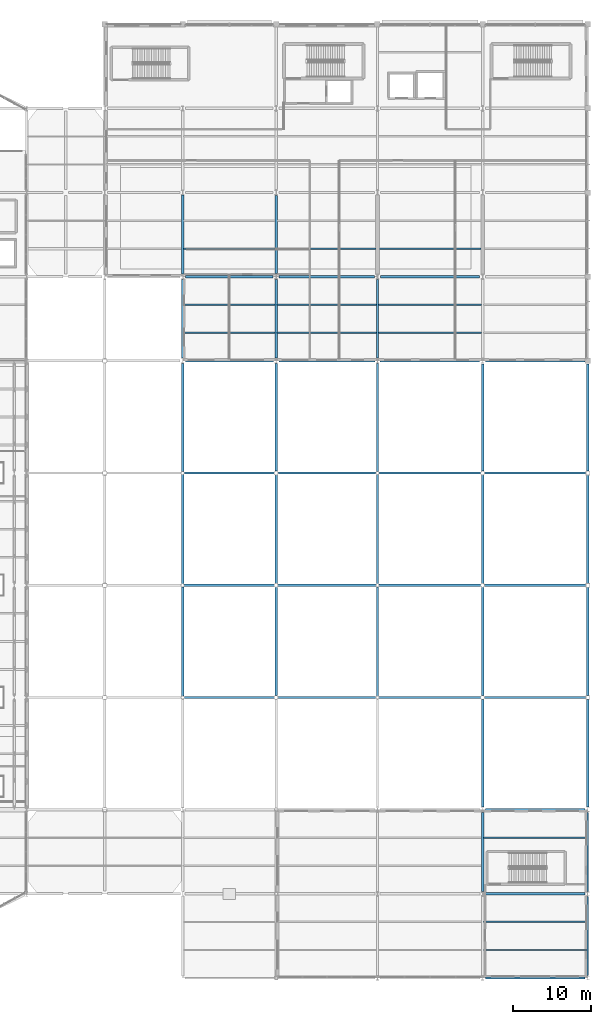
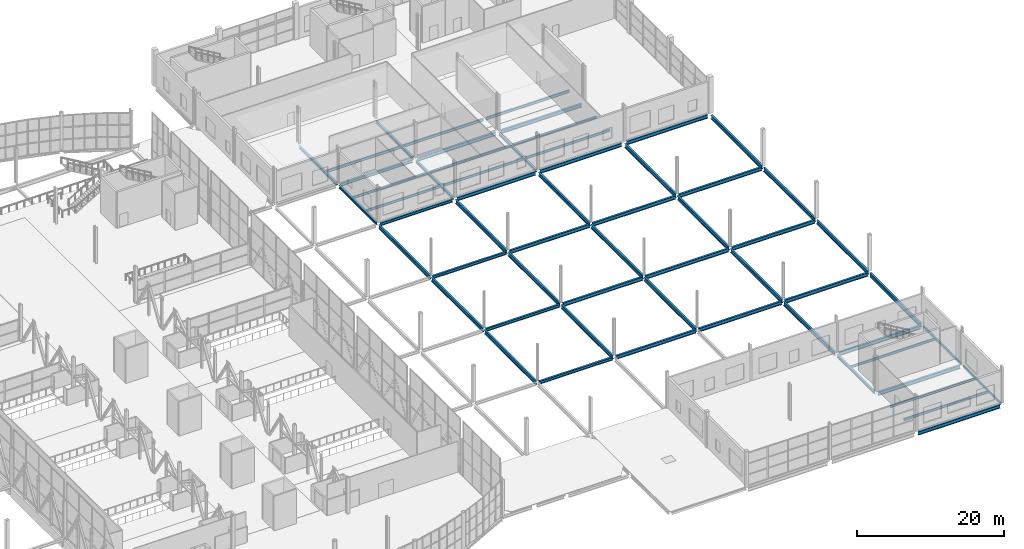
# One storey, part 135 of 191: 59 beams.
"""IFC4 building model written with IfcOpenShell, lengths in metres."""

import ifcopenshell
import ifcopenshell.guid

model = None  # the IFC model being written
_history = None  # IfcOwnerHistory: only IFC2X3 demands one
_inside = {}  # id of a spatial element -> (the spatial element, [elements in it])
_under = {}  # id of a project, library or spatial element -> (it, [spatial elements below it])
_declared = {}  # id of a project -> (the project, [libraries it declares])
_typed = {}  # id of a type object -> (the type object, [elements of that type])
_made_of = {}  # id of a material, layer set ... -> (it, [elements and type objects made of it])


def new_model(schema):
    """Start an empty IFC model of exactly this schema.

    Asked for "IFC4X3", IfcOpenShell would pick the latest addendum, in which some entities
    have other attributes; the version numbers below select the first issue.
    IFC2X3 requires an IfcOwnerHistory on every rooted entity: one is made here for all.
    """
    global model, _history
    if schema == "IFC4X3":
        model = ifcopenshell.file(schema_version=(4, 3, 0, 0))
    else:
        model = ifcopenshell.file(schema=schema)
    _inside.clear()
    _under.clear()
    _declared.clear()
    _typed.clear()
    _made_of.clear()
    _history = None
    if model.schema == "IFC2X3":
        org = make("IfcOrganization", Name="unknown")
        user = make(
            "IfcPersonAndOrganization",
            ThePerson=make("IfcPerson", FamilyName="unknown"),
            TheOrganization=org,
        )
        app = make(
            "IfcApplication",
            ApplicationDeveloper=org,
            Version="unknown",
            ApplicationFullName="unknown",
            ApplicationIdentifier="unknown",
        )
        _history = make(
            "IfcOwnerHistory",
            OwningUser=user,
            OwningApplication=app,
            ChangeAction="ADDED",
            CreationDate=0,
        )
    return model


def make(cls, **values):
    """One entity of the class cls with the attributes given. An attribute that is None is left unset."""
    return model.create_entity(
        cls, **{name: value for name, value in values.items() if value is not None}
    )


def rooted(cls, **values):
    """An entity with a GlobalId (a new one), such as an element, a storey or a relation."""
    return make(cls, GlobalId=ifcopenshell.guid.new(), OwnerHistory=_history, **values)


def si_unit(unit_type, name, prefix=None):
    """IfcSIUnit, for example si_unit("LENGTHUNIT", "METRE", prefix="MILLI")."""
    return make("IfcSIUnit", UnitType=unit_type, Prefix=prefix, Name=name)


def assignment(units):
    """IfcUnitAssignment: the units of a project."""
    return None if units is None else make("IfcUnitAssignment", Units=units)


def point(xyz):
    """IfcCartesianPoint."""
    return None if xyz is None else make("IfcCartesianPoint", Coordinates=xyz)


def direction(xyz):
    """IfcDirection."""
    return None if xyz is None else make("IfcDirection", DirectionRatios=xyz)


def frame(location, z_axis=None, x_axis=None):
    """IfcAxis2Placement3D, a coordinate frame: its origin and axes. An axis left out is left unset."""
    return make(
        "IfcAxis2Placement3D",
        Location=point(location),
        Axis=direction(z_axis),
        RefDirection=direction(x_axis),
    )


def frame_2d(location, x_axis=None):
    """IfcAxis2Placement2D, a coordinate frame in the plane: its origin and x axis."""
    return make(
        "IfcAxis2Placement2D", Location=point(location), RefDirection=direction(x_axis)
    )


def origin():
    """The frame at (0, 0, 0) with its axes left unset."""
    return frame((0.0, 0.0, 0.0))


def origin_2d():
    """The frame at (0, 0) in the plane with its x axis left unset."""
    return frame_2d((0.0, 0.0))


def place(relative_to, where):
    """IfcLocalPlacement: puts the frame where relative to a parent placement (None: the world)."""
    return make(
        "IfcLocalPlacement", PlacementRelTo=relative_to, RelativePlacement=where
    )


def context(
    kind, dimensions, precision=None, world=None, true_north=None, identifier=None
):
    """IfcGeometricRepresentationContext, for example the 3D "Model" context."""
    return make(
        "IfcGeometricRepresentationContext",
        ContextIdentifier=identifier,
        ContextType=kind,
        CoordinateSpaceDimension=dimensions,
        Precision=precision,
        WorldCoordinateSystem=world,
        TrueNorth=true_north,
    )


def subcontext(parent, identifier, kind, view, scale=None):
    """IfcGeometricRepresentationSubContext, for example "Body" below "Model"."""
    return make(
        "IfcGeometricRepresentationSubContext",
        ContextIdentifier=identifier,
        ContextType=kind,
        ParentContext=parent,
        TargetScale=scale,
        TargetView=view,
    )


def project(units=None, contexts=None):
    """IfcProject with its units and contexts."""
    return rooted(
        "IfcProject",
        Name="project",
        RepresentationContexts=contexts,
        UnitsInContext=assignment(units),
    )


def spatial(cls, under=None, at=None, **own):
    """A site, building, storey or space (cls), placed at a placement, below another one or the project."""
    s = rooted(cls, ObjectPlacement=at, **own)
    if under is not None:
        _under.setdefault(under.id(), (under, []))[1].append(s)
    return s


def profile(cls, at=None, kind="AREA", **sizes):
    """A parametric profile (cls). Its sizes go by their IFC names, for example OverallWidth=200.0."""
    return make(cls, ProfileType=kind, Position=at, **sizes)


def hollow_rectangle(**sizes):
    """IfcRectangleHollowProfileDef."""
    return profile("IfcRectangleHollowProfileDef", **sizes)


def i_section(**sizes):
    """IfcIShapeProfileDef."""
    return profile("IfcIShapeProfileDef", **sizes)


def extrude(swept, where, along, depth):
    """IfcExtrudedAreaSolid: the profile swept, set in the frame where, extruded along a direction by depth."""
    return make(
        "IfcExtrudedAreaSolid",
        SweptArea=swept,
        Position=where,
        ExtrudedDirection=direction(along),
        Depth=depth,
    )


def shape(context_of_items, identifier, shape_type, items):
    """IfcShapeRepresentation: the items that make up one representation, for example the "Body"."""
    return make(
        "IfcShapeRepresentation",
        ContextOfItems=context_of_items,
        RepresentationIdentifier=identifier,
        RepresentationType=shape_type,
        Items=items,
    )


def material(Name=None, Category=None):
    """IfcMaterial."""
    return make("IfcMaterial", Name=Name, Category=Category)


def material_profile(
    of_material, cross_section, Name=None, Category=None, Priority=None
):
    """IfcMaterialProfile: a cross section and its material."""
    return make(
        "IfcMaterialProfile",
        Name=Name,
        Material=of_material,
        Profile=cross_section,
        Priority=Priority,
        Category=Category,
    )


def profile_set(profiles, Name=None, composite=None):
    """IfcMaterialProfileSet."""
    return make(
        "IfcMaterialProfileSet",
        Name=Name,
        MaterialProfiles=profiles,
        CompositeProfile=composite,
    )


def made_of(thing, what):
    """Note that an element or type object is made of a material, layer set ...; save() writes the relation."""
    if what is not None:
        _made_of.setdefault(what.id(), (what, []))[1].append(thing)
    return thing


def type_object(cls, material=None, **own):
    """A type object (cls), such as IfcWallType, which elements share."""
    return made_of(rooted(cls, **own), material)


def element(
    cls,
    number,
    at=None,
    inside=None,
    cuts=None,
    type_object=None,
    material=None,
    context=None,
    identifier="Body",
    shape_type=None,
    held_by="IfcProductDefinitionShape",
    body=None,
    shapes=None,
    **own,
):
    """One element of the class cls, such as IfcWall. Its Tag is "e" and its number.

    at: its placement. inside: the storey or other place that contains it. cuts: it is an
    opening in that element (IfcRelVoidsElement). A single representation is given by context,
    identifier, shape_type and body (its items); several are given by shapes. held_by: the class
    of the entity that holds the representations. save() writes the other relations.
    """
    e = rooted(cls, Tag="e%d" % number, ObjectPlacement=at, **own)
    if body is not None:
        shapes = [shape(context, identifier, shape_type, body)]
    if shapes is not None:
        e.Representation = make(held_by, Representations=shapes)
    if inside is not None:
        _inside.setdefault(inside.id(), (inside, []))[1].append(e)
    if cuts is not None:
        rooted(
            "IfcRelVoidsElement", RelatingBuildingElement=cuts, RelatedOpeningElement=e
        )
    if type_object is not None:
        _typed.setdefault(type_object.id(), (type_object, []))[1].append(e)
    return made_of(e, material)


def aggregate(whole, parts):
    """IfcRelAggregates: a whole, such as a stair, and the parts it consists of."""
    return rooted("IfcRelAggregates", RelatingObject=whole, RelatedObjects=parts)


def save(model, path):
    """Write the relations noted so far, then the file.

    IfcRelAggregates (storeys below a building ...), IfcRelContainedInSpatialStructure (elements
    in a storey), IfcRelDefinesByType, IfcRelAssociatesMaterial and IfcRelDeclares: one each for
    every whole, place, type object, material and project.
    """
    for whole, parts in _under.values():
        aggregate(whole, parts)
    for where, things in _inside.values():
        rooted(
            "IfcRelContainedInSpatialStructure",
            RelatedElements=things,
            RelatingStructure=where,
        )
    for kind, things in _typed.values():
        rooted("IfcRelDefinesByType", RelatedObjects=things, RelatingType=kind)
    for what, things in _made_of.values():
        rooted("IfcRelAssociatesMaterial", RelatedObjects=things, RelatingMaterial=what)
    for by, libraries in _declared.values():
        rooted("IfcRelDeclares", RelatingContext=by, RelatedDefinitions=libraries)
    model.write(path)


model = new_model("IFC4")

# Units and contexts
model_context = context("Model", 3, precision=1e-05, world=origin(), true_north=direction((0.0, 1.0)))
body_context = subcontext(model_context, "Body", "Model", "MODEL_VIEW")
ifc_project = project(units=[si_unit("LENGTHUNIT", "METRE"), si_unit("AREAUNIT", "SQUARE_METRE"), si_unit("VOLUMEUNIT", "CUBIC_METRE"), si_unit("PLANEANGLEUNIT", "RADIAN"), si_unit("MASSUNIT", "GRAM", prefix="KILO")], contexts=[model_context])

# Site, building, storey
site_placement = place(None, origin())
site = spatial("IfcSite", under=ifc_project, at=site_placement, CompositionType="ELEMENT")
building_placement = place(site_placement, origin())
building = spatial("IfcBuilding", under=site, at=building_placement, Name="Tamarisk Ironworks Central Station", CompositionType="ELEMENT")
storey_placement = place(building_placement, frame((0.0, 0.0, 6.60009765625)))
storey = spatial("IfcBuildingStorey", under=building, at=storey_placement, Name="L01", CompositionType="ELEMENT", Elevation=6.60009765625)

# Beams
ifc_material = material(Name="Structural steel S355J2", Category="steel")
ifc_material_profile_1 = material_profile(ifc_material, i_section(OverallWidth=0.18994140625, OverallDepth=0.449951171875, WebThickness=0.009521484375, FlangeThickness=0.0146484375, at=origin_2d()), Name="IPE 450")
ifc_profile_set_1 = profile_set([ifc_material_profile_1], Name="Structural steel S355J2")
beam_type_1 = type_object("IfcBeamType", Name="BM-B03", PredefinedType="BEAM", material=ifc_profile_set_1)
beam_1_placement = place(storey_placement, frame((128.135009765625, 93.60009765625, -0.47509765625), z_axis=(1.0, 0.0, 0.0), x_axis=(0.0, 1.0, 0.0)))
element("IfcBeam", 1, at=beam_1_placement, inside=storey, type_object=beam_type_1, Name="L01 secondary composite beam 0076", PredefinedType="BEAM", context=body_context, shape_type="SweptSolid", body=[
    extrude(i_section(OverallWidth=0.18994140625, OverallDepth=0.449951171875, WebThickness=0.009521484375, FlangeThickness=0.0146484375, at=origin_2d()), origin(), (0.0, 0.0, 1.0), 11.72998046875),
])
beam_2_placement = place(storey_placement, frame((140.135009765625, 93.60009765625, -0.47509765625), z_axis=(1.0, 0.0, 0.0), x_axis=(0.0, 1.0, 0.0)))
element("IfcBeam", 2, at=beam_2_placement, inside=storey, type_object=beam_type_1, Name="L01 secondary composite beam 0080", PredefinedType="BEAM", context=body_context, shape_type="SweptSolid", body=[
    extrude(i_section(OverallWidth=0.18994140625, OverallDepth=0.449951171875, WebThickness=0.009521484375, FlangeThickness=0.0146484375, at=origin_2d()), origin(), (0.0, 0.0, 1.0), 12.6650390625),
])
beam_3_placement = place(storey_placement, frame((153.199951171875, 93.60009765625, -0.47509765625), z_axis=(1.0, 0.0, 0.0), x_axis=(0.0, 1.0, 0.0)))
element("IfcBeam", 3, at=beam_3_placement, inside=storey, type_object=beam_type_1, Name="L01 secondary composite beam 0084", PredefinedType="BEAM", context=body_context, shape_type="SweptSolid", body=[
    extrude(i_section(OverallWidth=0.18994140625, OverallDepth=0.449951171875, WebThickness=0.009521484375, FlangeThickness=0.0146484375, at=origin_2d()), origin(), (0.0, 0.0, 1.0), 13.10009765625),
])
ifc_material_profile_2 = material_profile(ifc_material, i_section(OverallWidth=0.179931640625, OverallDepth=0.39990234375, WebThickness=0.008544921875, FlangeThickness=0.013427734375, at=origin_2d()), Name="IPE 400")
ifc_profile_set_2 = profile_set([ifc_material_profile_2], Name="Structural steel S355J2")
beam_type_2 = type_object("IfcBeamType", Name="BM-B04", PredefinedType="BEAM", material=ifc_profile_set_2)
for number, where, z_axis, x_axis, name in (
    (4, (128.135009765625, 82.800048828125, -0.4501953125), (1.0, 0.0, 0.0), (0.0, 1.0, 0.0), "L01 secondary composite beam 0093"),
    (5, (128.135009765625, 86.39990234375, -0.4501953125), (1.0, 0.0, 0.0), (0.0, 1.0, 0.0), "L01 secondary composite beam 0094"),
):
    element("IfcBeam", number, at=place(storey_placement, frame(where, z_axis=z_axis, x_axis=x_axis)), inside=storey, type_object=beam_type_2, Name=name, PredefinedType="BEAM", context=body_context, shape_type="SweptSolid", body=[
        extrude(i_section(OverallWidth=0.179931640625, OverallDepth=0.39990234375, WebThickness=0.008544921875, FlangeThickness=0.013427734375, at=origin_2d()), origin(), (0.0, 0.0, 1.0), 11.72998046875),
    ])
for number, where, z_axis, x_axis, name in (
    (6, (140.135009765625, 82.800048828125, -0.4501953125), (1.0, 0.0, 0.0), (0.0, 1.0, 0.0), "L01 secondary composite beam 0095"),
    (7, (140.135009765625, 86.39990234375, -0.4501953125), (1.0, 0.0, 0.0), (0.0, 1.0, 0.0), "L01 secondary composite beam 0096"),
):
    element("IfcBeam", number, at=place(storey_placement, frame(where, z_axis=z_axis, x_axis=x_axis)), inside=storey, type_object=beam_type_2, Name=name, PredefinedType="BEAM", context=body_context, shape_type="SweptSolid", body=[
        extrude(i_section(OverallWidth=0.179931640625, OverallDepth=0.39990234375, WebThickness=0.008544921875, FlangeThickness=0.013427734375, at=origin_2d()), origin(), (0.0, 0.0, 1.0), 12.72998046875),
    ])
for number, where, z_axis, x_axis, name in (
    (8, (153.135009765625, 82.800048828125, -0.4501953125), (1.0, 0.0, 0.0), (0.0, 1.0, 0.0), "L01 secondary composite beam 0097"),
    (9, (153.135009765625, 86.39990234375, -0.4501953125), (1.0, 0.0, 0.0), (0.0, 1.0, 0.0), "L01 secondary composite beam 0098"),
):
    element("IfcBeam", number, at=place(storey_placement, frame(where, z_axis=z_axis, x_axis=x_axis)), inside=storey, type_object=beam_type_2, Name=name, PredefinedType="BEAM", context=body_context, shape_type="SweptSolid", body=[
        extrude(i_section(OverallWidth=0.179931640625, OverallDepth=0.39990234375, WebThickness=0.008544921875, FlangeThickness=0.013427734375, at=origin_2d()), origin(), (0.0, 0.0, 1.0), 13.22998046875),
    ])
for number, where, z_axis, x_axis, name in (
    (10, (166.635009765625, 3.60009765625, -0.4501953125), (1.0, 0.0, 0.0), (0.0, 1.0, 0.0), "L01 secondary composite beam 0113"),
    (11, (166.635009765625, 7.199951171875, -0.4501953125), (1.0, 0.0, 0.0), (0.0, 1.0, 0.0), "L01 secondary composite beam 0114"),
    (12, (166.635009765625, 18.0, -0.4501953125), (1.0, 0.0, 0.0), (0.0, 1.0, 0.0), "L01 secondary composite beam 0115"),
):
    element("IfcBeam", number, at=place(storey_placement, frame(where, z_axis=z_axis, x_axis=x_axis)), inside=storey, type_object=beam_type_2, Name=name, PredefinedType="BEAM", context=body_context, shape_type="SweptSolid", body=[
        extrude(i_section(OverallWidth=0.179931640625, OverallDepth=0.39990234375, WebThickness=0.008544921875, FlangeThickness=0.013427734375, at=origin_2d()), origin(), (0.0, 0.0, 1.0), 13.280029296875),
    ])
ifc_material_profile_3 = material_profile(ifc_material, i_section(OverallWidth=0.300048828125, OverallDepth=0.639892578125, WebThickness=0.013427734375, FlangeThickness=0.02587890625, at=origin_2d()), Name="HEA 650")
ifc_profile_set_3 = profile_set([ifc_material_profile_3], Name="Structural steel S355J2")
beam_type_3 = type_object("IfcBeamType", Name="BM-G02", PredefinedType="BEAM", material=ifc_profile_set_3)
for number, where, z_axis, x_axis, name in (
    (13, (128.0, 36.191162109375, -0.570068359375), (0.0, 1.0, 0.0), (-1.0, 0.0, 0.0), "L01 primary girder Y-0253"),
    (14, (128.0, 50.59130859375, -0.570068359375), (0.0, 1.0, 0.0), (-1.0, 0.0, 0.0), "L01 primary girder Y-0254"),
):
    element("IfcBeam", number, at=place(storey_placement, frame(where, z_axis=z_axis, x_axis=x_axis)), inside=storey, type_object=beam_type_3, Name=name, PredefinedType="BEAM", context=body_context, shape_type="SweptSolid", body=[
        extrude(i_section(OverallWidth=0.300048828125, OverallDepth=0.639892578125, WebThickness=0.013427734375, FlangeThickness=0.02587890625, at=origin_2d()), origin(), (0.0, 0.0, 1.0), 14.017578125),
    ])
beam_4_placement = place(storey_placement, frame((128.0, 64.9912109375, -0.570068359375), z_axis=(0.0, 1.0, 0.0), x_axis=(-1.0, 0.0, 0.0)))
element("IfcBeam", 15, at=beam_4_placement, inside=storey, type_object=beam_type_3, Name="L01 primary girder Y-0255", PredefinedType="BEAM", context=body_context, shape_type="SweptSolid", body=[
    extrude(i_section(OverallWidth=0.300048828125, OverallDepth=0.639892578125, WebThickness=0.013427734375, FlangeThickness=0.02587890625, at=origin_2d()), origin(), (0.0, 0.0, 1.0), 13.870849609375),
])
for number, where, z_axis, x_axis, name in (
    (16, (140.0, 36.241943359375, -0.570068359375), (0.0, 1.0, 0.0), (-1.0, 0.0, 0.0), "L01 primary girder Y-0262"),
    (17, (140.0, 50.64208984375, -0.570068359375), (0.0, 1.0, 0.0), (-1.0, 0.0, 0.0), "L01 primary girder Y-0263"),
):
    element("IfcBeam", number, at=place(storey_placement, frame(where, z_axis=z_axis, x_axis=x_axis)), inside=storey, type_object=beam_type_3, Name=name, PredefinedType="BEAM", context=body_context, shape_type="SweptSolid", body=[
        extrude(i_section(OverallWidth=0.300048828125, OverallDepth=0.639892578125, WebThickness=0.013427734375, FlangeThickness=0.02587890625, at=origin_2d()), origin(), (0.0, 0.0, 1.0), 13.916015625),
    ])
beam_5_placement = place(storey_placement, frame((140.0, 65.0419921875, -0.570068359375), z_axis=(0.0, 1.0, 0.0), x_axis=(-1.0, 0.0, 0.0)))
element("IfcBeam", 18, at=beam_5_placement, inside=storey, type_object=beam_type_3, Name="L01 primary girder Y-0264", PredefinedType="BEAM", context=body_context, shape_type="SweptSolid", body=[
    extrude(i_section(OverallWidth=0.300048828125, OverallDepth=0.639892578125, WebThickness=0.013427734375, FlangeThickness=0.02587890625, at=origin_2d()), origin(), (0.0, 0.0, 1.0), 13.820068359375),
])
for number, where, z_axis, x_axis, name in (
    (19, (153.0, 36.191162109375, -0.570068359375), (0.0, 1.0, 0.0), (-1.0, 0.0, 0.0), "L01 primary girder Y-0272"),
    (20, (153.0, 50.59130859375, -0.570068359375), (0.0, 1.0, 0.0), (-1.0, 0.0, 0.0), "L01 primary girder Y-0273"),
):
    element("IfcBeam", number, at=place(storey_placement, frame(where, z_axis=z_axis, x_axis=x_axis)), inside=storey, type_object=beam_type_3, Name=name, PredefinedType="BEAM", context=body_context, shape_type="SweptSolid", body=[
        extrude(i_section(OverallWidth=0.300048828125, OverallDepth=0.639892578125, WebThickness=0.013427734375, FlangeThickness=0.02587890625, at=origin_2d()), origin(), (0.0, 0.0, 1.0), 14.017578125),
    ])
beam_6_placement = place(storey_placement, frame((153.0, 64.9912109375, -0.570068359375), z_axis=(0.0, 1.0, 0.0), x_axis=(-1.0, 0.0, 0.0)))
element("IfcBeam", 21, at=beam_6_placement, inside=storey, type_object=beam_type_3, Name="L01 primary girder Y-0274", PredefinedType="BEAM", context=body_context, shape_type="SweptSolid", body=[
    extrude(i_section(OverallWidth=0.300048828125, OverallDepth=0.639892578125, WebThickness=0.013427734375, FlangeThickness=0.02587890625, at=origin_2d()), origin(), (0.0, 0.0, 1.0), 13.870849609375),
])
beam_7_placement = place(storey_placement, frame((166.5, 21.93798828125, -0.570068359375), z_axis=(0.0, 1.0, 0.0), x_axis=(-1.0, 0.0, 0.0)))
element("IfcBeam", 22, at=beam_7_placement, inside=storey, type_object=beam_type_3, Name="L01 primary girder Y-0280", PredefinedType="BEAM", context=body_context, shape_type="SweptSolid", body=[
    extrude(i_section(OverallWidth=0.300048828125, OverallDepth=0.639892578125, WebThickness=0.013427734375, FlangeThickness=0.02587890625, at=origin_2d()), origin(), (0.0, 0.0, 1.0), 13.820068359375),
])
for number, where, z_axis, x_axis, name in (
    (23, (166.5, 36.241943359375, -0.570068359375), (0.0, 1.0, 0.0), (-1.0, 0.0, 0.0), "L01 primary girder Y-0281"),
    (24, (166.5, 50.64208984375, -0.570068359375), (0.0, 1.0, 0.0), (-1.0, 0.0, 0.0), "L01 primary girder Y-0282"),
):
    element("IfcBeam", number, at=place(storey_placement, frame(where, z_axis=z_axis, x_axis=x_axis)), inside=storey, type_object=beam_type_3, Name=name, PredefinedType="BEAM", context=body_context, shape_type="SweptSolid", body=[
        extrude(i_section(OverallWidth=0.300048828125, OverallDepth=0.639892578125, WebThickness=0.013427734375, FlangeThickness=0.02587890625, at=origin_2d()), origin(), (0.0, 0.0, 1.0), 13.916015625),
    ])
beam_8_placement = place(storey_placement, frame((166.5, 65.0419921875, -0.570068359375), z_axis=(0.0, 1.0, 0.0), x_axis=(-1.0, 0.0, 0.0)))
element("IfcBeam", 25, at=beam_8_placement, inside=storey, type_object=beam_type_3, Name="L01 primary girder Y-0283", PredefinedType="BEAM", context=body_context, shape_type="SweptSolid", body=[
    extrude(i_section(OverallWidth=0.300048828125, OverallDepth=0.639892578125, WebThickness=0.013427734375, FlangeThickness=0.02587890625, at=origin_2d()), origin(), (0.0, 0.0, 1.0), 13.77001953125),
])
beam_9_placement = place(storey_placement, frame((180.0, 21.93798828125, -0.570068359375), z_axis=(0.0, 1.0, 0.0), x_axis=(-1.0, 0.0, 0.0)))
element("IfcBeam", 26, at=beam_9_placement, inside=storey, type_object=beam_type_3, Name="L01 primary girder Y-0289", PredefinedType="BEAM", context=body_context, shape_type="SweptSolid", body=[
    extrude(i_section(OverallWidth=0.300048828125, OverallDepth=0.639892578125, WebThickness=0.013427734375, FlangeThickness=0.02587890625, at=origin_2d()), origin(), (0.0, 0.0, 1.0), 13.823974609375),
])
for number, where, z_axis, x_axis, name in (
    (27, (180.0, 36.238037109375, -0.570068359375), (0.0, 1.0, 0.0), (-1.0, 0.0, 0.0), "L01 primary girder Y-0290"),
    (28, (180.0, 50.637939453125, -0.570068359375), (0.0, 1.0, 0.0), (-1.0, 0.0, 0.0), "L01 primary girder Y-0291"),
):
    element("IfcBeam", number, at=place(storey_placement, frame(where, z_axis=z_axis, x_axis=x_axis)), inside=storey, type_object=beam_type_3, Name=name, PredefinedType="BEAM", context=body_context, shape_type="SweptSolid", body=[
        extrude(i_section(OverallWidth=0.300048828125, OverallDepth=0.639892578125, WebThickness=0.013427734375, FlangeThickness=0.02587890625, at=origin_2d()), origin(), (0.0, 0.0, 1.0), 13.924072265625),
    ])
beam_10_placement = place(storey_placement, frame((180.0, 65.0380859375, -0.570068359375), z_axis=(0.0, 1.0, 0.0), x_axis=(-1.0, 0.0, 0.0)))
element("IfcBeam", 29, at=beam_10_placement, inside=storey, type_object=beam_type_3, Name="L01 primary girder Y-0292", PredefinedType="BEAM", context=body_context, shape_type="SweptSolid", body=[
    extrude(i_section(OverallWidth=0.300048828125, OverallDepth=0.639892578125, WebThickness=0.013427734375, FlangeThickness=0.02587890625, at=origin_2d()), origin(), (0.0, 0.0, 1.0), 13.77392578125),
])
ifc_material_profile_4 = material_profile(ifc_material, i_section(OverallWidth=0.300048828125, OverallDepth=0.590087890625, WebThickness=0.012939453125, FlangeThickness=0.02490234375, at=origin_2d()), Name="HEA 600")
ifc_profile_set_4 = profile_set([ifc_material_profile_4], Name="Structural steel S355J2")
beam_type_4 = type_object("IfcBeamType", Name="BM-G03", PredefinedType="BEAM", material=ifc_profile_set_4)
for number, where, z_axis, x_axis, name in (
    (30, (166.837890625, 0.0, -0.545166015625), (1.0, 0.0, 0.0), (0.0, 1.0, 0.0), "L01 primary girder X-0009"),
    (31, (166.837890625, 10.800048828125, -0.545166015625), (1.0, 0.0, 0.0), (0.0, 1.0, 0.0), "L01 primary girder X-0026"),
    (32, (166.837890625, 21.60009765625, -0.545166015625), (1.0, 0.0, 0.0), (0.0, 1.0, 0.0), "L01 primary girder X-0041"),
):
    element("IfcBeam", number, at=place(storey_placement, frame(where, z_axis=z_axis, x_axis=x_axis)), inside=storey, type_object=beam_type_4, Name=name, PredefinedType="BEAM", context=body_context, shape_type="SweptSolid", body=[
        extrude(i_section(OverallWidth=0.300048828125, OverallDepth=0.590087890625, WebThickness=0.012939453125, FlangeThickness=0.02490234375, at=origin_2d()), origin(), (0.0, 0.0, 1.0), 12.82421875),
    ])
beam_11_placement = place(storey_placement, frame((140.241943359375, 36.0, -0.545166015625), z_axis=(1.0, 0.0, 0.0), x_axis=(0.0, 1.0, 0.0)))
element("IfcBeam", 33, at=beam_11_placement, inside=storey, type_object=beam_type_4, Name="L01 primary girder X-0051", PredefinedType="BEAM", context=body_context, shape_type="SweptSolid", body=[
    extrude(i_section(OverallWidth=0.300048828125, OverallDepth=0.590087890625, WebThickness=0.012939453125, FlangeThickness=0.02490234375, at=origin_2d()), origin(), (0.0, 0.0, 1.0), 12.56689453125),
])
beam_12_placement = place(storey_placement, frame((153.191162109375, 36.0, -0.545166015625), z_axis=(1.0, 0.0, 0.0), x_axis=(0.0, 1.0, 0.0)))
element("IfcBeam", 34, at=beam_12_placement, inside=storey, type_object=beam_type_4, Name="L01 primary girder X-0052", PredefinedType="BEAM", context=body_context, shape_type="SweptSolid", body=[
    extrude(i_section(OverallWidth=0.300048828125, OverallDepth=0.590087890625, WebThickness=0.012939453125, FlangeThickness=0.02490234375, at=origin_2d()), origin(), (0.0, 0.0, 1.0), 13.06689453125),
])
beam_13_placement = place(storey_placement, frame((166.741943359375, 36.0, -0.545166015625), z_axis=(1.0, 0.0, 0.0), x_axis=(0.0, 1.0, 0.0)))
element("IfcBeam", 35, at=beam_13_placement, inside=storey, type_object=beam_type_4, Name="L01 primary girder X-0053", PredefinedType="BEAM", context=body_context, shape_type="SweptSolid", body=[
    extrude(i_section(OverallWidth=0.300048828125, OverallDepth=0.590087890625, WebThickness=0.012939453125, FlangeThickness=0.02490234375, at=origin_2d()), origin(), (0.0, 0.0, 1.0), 13.02001953125),
])
beam_14_placement = place(storey_placement, frame((140.241943359375, 50.39990234375, -0.545166015625), z_axis=(1.0, 0.0, 0.0), x_axis=(0.0, 1.0, 0.0)))
element("IfcBeam", 36, at=beam_14_placement, inside=storey, type_object=beam_type_4, Name="L01 primary girder X-0063", PredefinedType="BEAM", context=body_context, shape_type="SweptSolid", body=[
    extrude(i_section(OverallWidth=0.300048828125, OverallDepth=0.590087890625, WebThickness=0.012939453125, FlangeThickness=0.02490234375, at=origin_2d()), origin(), (0.0, 0.0, 1.0), 12.56689453125),
])
beam_15_placement = place(storey_placement, frame((153.191162109375, 50.39990234375, -0.545166015625), z_axis=(1.0, 0.0, 0.0), x_axis=(0.0, 1.0, 0.0)))
element("IfcBeam", 37, at=beam_15_placement, inside=storey, type_object=beam_type_4, Name="L01 primary girder X-0064", PredefinedType="BEAM", context=body_context, shape_type="SweptSolid", body=[
    extrude(i_section(OverallWidth=0.300048828125, OverallDepth=0.590087890625, WebThickness=0.012939453125, FlangeThickness=0.02490234375, at=origin_2d()), origin(), (0.0, 0.0, 1.0), 13.06689453125),
])
beam_16_placement = place(storey_placement, frame((166.741943359375, 50.39990234375, -0.545166015625), z_axis=(1.0, 0.0, 0.0), x_axis=(0.0, 1.0, 0.0)))
element("IfcBeam", 38, at=beam_16_placement, inside=storey, type_object=beam_type_4, Name="L01 primary girder X-0065", PredefinedType="BEAM", context=body_context, shape_type="SweptSolid", body=[
    extrude(i_section(OverallWidth=0.300048828125, OverallDepth=0.590087890625, WebThickness=0.012939453125, FlangeThickness=0.02490234375, at=origin_2d()), origin(), (0.0, 0.0, 1.0), 13.02001953125),
])
beam_17_placement = place(storey_placement, frame((140.241943359375, 64.800048828125, -0.545166015625), z_axis=(1.0, 0.0, 0.0), x_axis=(0.0, 1.0, 0.0)))
element("IfcBeam", 39, at=beam_17_placement, inside=storey, type_object=beam_type_4, Name="L01 primary girder X-0075", PredefinedType="BEAM", context=body_context, shape_type="SweptSolid", body=[
    extrude(i_section(OverallWidth=0.300048828125, OverallDepth=0.590087890625, WebThickness=0.012939453125, FlangeThickness=0.02490234375, at=origin_2d()), origin(), (0.0, 0.0, 1.0), 12.56689453125),
])
beam_18_placement = place(storey_placement, frame((153.191162109375, 64.800048828125, -0.545166015625), z_axis=(1.0, 0.0, 0.0), x_axis=(0.0, 1.0, 0.0)))
element("IfcBeam", 40, at=beam_18_placement, inside=storey, type_object=beam_type_4, Name="L01 primary girder X-0076", PredefinedType="BEAM", context=body_context, shape_type="SweptSolid", body=[
    extrude(i_section(OverallWidth=0.300048828125, OverallDepth=0.590087890625, WebThickness=0.012939453125, FlangeThickness=0.02490234375, at=origin_2d()), origin(), (0.0, 0.0, 1.0), 13.06689453125),
])
beam_19_placement = place(storey_placement, frame((166.741943359375, 64.800048828125, -0.545166015625), z_axis=(1.0, 0.0, 0.0), x_axis=(0.0, 1.0, 0.0)))
element("IfcBeam", 41, at=beam_19_placement, inside=storey, type_object=beam_type_4, Name="L01 primary girder X-0077", PredefinedType="BEAM", context=body_context, shape_type="SweptSolid", body=[
    extrude(i_section(OverallWidth=0.300048828125, OverallDepth=0.590087890625, WebThickness=0.012939453125, FlangeThickness=0.02490234375, at=origin_2d()), origin(), (0.0, 0.0, 1.0), 13.02001953125),
])
beam_20_placement = place(storey_placement, frame((140.337890625, 79.199951171875, -0.545166015625), z_axis=(1.0, 0.0, 0.0), x_axis=(0.0, 1.0, 0.0)))
element("IfcBeam", 42, at=beam_20_placement, inside=storey, type_object=beam_type_4, Name="L01 primary girder X-0090", PredefinedType="BEAM", context=body_context, shape_type="SweptSolid", body=[
    extrude(i_section(OverallWidth=0.300048828125, OverallDepth=0.590087890625, WebThickness=0.012939453125, FlangeThickness=0.02490234375, at=origin_2d()), origin(), (0.0, 0.0, 1.0), 12.32421875),
])
beam_21_placement = place(storey_placement, frame((153.337890625, 79.199951171875, -0.545166015625), z_axis=(1.0, 0.0, 0.0), x_axis=(0.0, 1.0, 0.0)))
element("IfcBeam", 43, at=beam_21_placement, inside=storey, type_object=beam_type_4, Name="L01 primary girder X-0091", PredefinedType="BEAM", context=body_context, shape_type="SweptSolid", body=[
    extrude(i_section(OverallWidth=0.300048828125, OverallDepth=0.590087890625, WebThickness=0.012939453125, FlangeThickness=0.02490234375, at=origin_2d()), origin(), (0.0, 0.0, 1.0), 12.774169921875),
])
beam_22_placement = place(storey_placement, frame((166.887939453125, 79.199951171875, -0.545166015625), z_axis=(1.0, 0.0, 0.0), x_axis=(0.0, 1.0, 0.0)))
element("IfcBeam", 44, at=beam_22_placement, inside=storey, type_object=beam_type_4, Name="L01 primary girder X-0092", PredefinedType="BEAM", context=body_context, shape_type="SweptSolid", body=[
    extrude(i_section(OverallWidth=0.300048828125, OverallDepth=0.590087890625, WebThickness=0.012939453125, FlangeThickness=0.02490234375, at=origin_2d()), origin(), (0.0, 0.0, 1.0), 12.72412109375),
])
beam_23_placement = place(storey_placement, frame((140.387939453125, 90.0, -0.545166015625), z_axis=(1.0, 0.0, 0.0), x_axis=(0.0, 1.0, 0.0)))
element("IfcBeam", 45, at=beam_23_placement, inside=storey, type_object=beam_type_4, Name="L01 primary girder X-0107", PredefinedType="BEAM", context=body_context, shape_type="SweptSolid", body=[
    extrude(i_section(OverallWidth=0.300048828125, OverallDepth=0.590087890625, WebThickness=0.012939453125, FlangeThickness=0.02490234375, at=origin_2d()), origin(), (0.0, 0.0, 1.0), 12.22412109375),
])
beam_24_placement = place(storey_placement, frame((153.387939453125, 90.0, -0.545166015625), z_axis=(1.0, 0.0, 0.0), x_axis=(0.0, 1.0, 0.0)))
element("IfcBeam", 46, at=beam_24_placement, inside=storey, type_object=beam_type_4, Name="L01 primary girder X-0108", PredefinedType="BEAM", context=body_context, shape_type="SweptSolid", body=[
    extrude(i_section(OverallWidth=0.300048828125, OverallDepth=0.590087890625, WebThickness=0.012939453125, FlangeThickness=0.02490234375, at=origin_2d()), origin(), (0.0, 0.0, 1.0), 12.72412109375),
])
ifc_material_profile_5 = material_profile(ifc_material, i_section(OverallWidth=0.300048828125, OverallDepth=0.489990234375, WebThickness=0.011962890625, FlangeThickness=0.02294921875, at=origin_2d()), Name="HEA 500")
ifc_profile_set_5 = profile_set([ifc_material_profile_5], Name="Structural steel S355J2")
beam_type_5 = type_object("IfcBeamType", Name="BM-G05", PredefinedType="BEAM", material=ifc_profile_set_5)
for number, where, z_axis, x_axis, name in (
    (47, (128.191162109375, 36.0, -0.4951171875), (1.0, 0.0, 0.0), (0.0, 1.0, 0.0), "L01 primary girder X-0050"),
    (48, (128.191162109375, 50.39990234375, -0.4951171875), (1.0, 0.0, 0.0), (0.0, 1.0, 0.0), "L01 primary girder X-0062"),
    (49, (128.191162109375, 64.800048828125, -0.4951171875), (1.0, 0.0, 0.0), (0.0, 1.0, 0.0), "L01 primary girder X-0074"),
):
    element("IfcBeam", number, at=place(storey_placement, frame(where, z_axis=z_axis, x_axis=x_axis)), inside=storey, type_object=beam_type_5, Name=name, PredefinedType="BEAM", context=body_context, shape_type="SweptSolid", body=[
        extrude(i_section(OverallWidth=0.300048828125, OverallDepth=0.489990234375, WebThickness=0.011962890625, FlangeThickness=0.02294921875, at=origin_2d()), origin(), (0.0, 0.0, 1.0), 11.56689453125),
    ])
beam_25_placement = place(storey_placement, frame((128.337890625, 79.199951171875, -0.4951171875), z_axis=(1.0, 0.0, 0.0), x_axis=(0.0, 1.0, 0.0)))
element("IfcBeam", 50, at=beam_25_placement, inside=storey, type_object=beam_type_5, Name="L01 primary girder X-0089", PredefinedType="BEAM", context=body_context, shape_type="SweptSolid", body=[
    extrude(i_section(OverallWidth=0.300048828125, OverallDepth=0.489990234375, WebThickness=0.011962890625, FlangeThickness=0.02294921875, at=origin_2d()), origin(), (0.0, 0.0, 1.0), 11.32421875),
])
beam_26_placement = place(storey_placement, frame((128.337890625, 90.0, -0.4951171875), z_axis=(1.0, 0.0, 0.0), x_axis=(0.0, 1.0, 0.0)))
element("IfcBeam", 51, at=beam_26_placement, inside=storey, type_object=beam_type_5, Name="L01 primary girder X-0106", PredefinedType="BEAM", context=body_context, shape_type="SweptSolid", body=[
    extrude(i_section(OverallWidth=0.300048828125, OverallDepth=0.489990234375, WebThickness=0.011962890625, FlangeThickness=0.02294921875, at=origin_2d()), origin(), (0.0, 0.0, 1.0), 11.274169921875),
])
ifc_material_profile_6 = material_profile(ifc_material, i_section(OverallWidth=0.300048828125, OverallDepth=0.43994140625, WebThickness=0.011474609375, FlangeThickness=0.02099609375, at=origin_2d()), Name="HEA 450")
ifc_profile_set_6 = profile_set([ifc_material_profile_6], Name="Structural steel S355J2")
beam_type_6 = type_object("IfcBeamType", Name="BM-G06", PredefinedType="BEAM", material=ifc_profile_set_6)
for number, where, z_axis, x_axis, name in (
    (52, (128.0, 79.5380859375, -0.47021484375), (0.0, 1.0, 0.0), (-1.0, 0.0, 0.0), "L01 primary girder Y-0256"),
    (53, (128.0, 90.337890625, -0.47021484375), (0.0, 1.0, 0.0), (-1.0, 0.0, 0.0), "L01 primary girder Y-0257"),
):
    element("IfcBeam", number, at=place(storey_placement, frame(where, z_axis=z_axis, x_axis=x_axis)), inside=storey, type_object=beam_type_6, Name=name, PredefinedType="BEAM", context=body_context, shape_type="SweptSolid", body=[
        extrude(i_section(OverallWidth=0.300048828125, OverallDepth=0.43994140625, WebThickness=0.011474609375, FlangeThickness=0.02099609375, at=origin_2d()), origin(), (0.0, 0.0, 1.0), 10.1240234375),
    ])
beam_27_placement = place(storey_placement, frame((140.0, 79.5380859375, -0.47021484375), z_axis=(0.0, 1.0, 0.0), x_axis=(-1.0, 0.0, 0.0)))
element("IfcBeam", 54, at=beam_27_placement, inside=storey, type_object=beam_type_6, Name="L01 primary girder Y-0265", PredefinedType="BEAM", context=body_context, shape_type="SweptSolid", body=[
    extrude(i_section(OverallWidth=0.300048828125, OverallDepth=0.43994140625, WebThickness=0.011474609375, FlangeThickness=0.02099609375, at=origin_2d()), origin(), (0.0, 0.0, 1.0), 10.073974609375),
])
beam_28_placement = place(storey_placement, frame((140.0, 90.387939453125, -0.47021484375), z_axis=(0.0, 1.0, 0.0), x_axis=(-1.0, 0.0, 0.0)))
element("IfcBeam", 55, at=beam_28_placement, inside=storey, type_object=beam_type_6, Name="L01 primary girder Y-0266", PredefinedType="BEAM", context=body_context, shape_type="SweptSolid", body=[
    extrude(i_section(OverallWidth=0.300048828125, OverallDepth=0.43994140625, WebThickness=0.011474609375, FlangeThickness=0.02099609375, at=origin_2d()), origin(), (0.0, 0.0, 1.0), 10.024169921875),
])
beam_29_placement = place(storey_placement, frame((153.0, 79.5380859375, -0.47021484375), z_axis=(0.0, 1.0, 0.0), x_axis=(-1.0, 0.0, 0.0)))
element("IfcBeam", 56, at=beam_29_placement, inside=storey, type_object=beam_type_6, Name="L01 primary girder Y-0275", PredefinedType="BEAM", context=body_context, shape_type="SweptSolid", body=[
    extrude(i_section(OverallWidth=0.300048828125, OverallDepth=0.43994140625, WebThickness=0.011474609375, FlangeThickness=0.02099609375, at=origin_2d()), origin(), (0.0, 0.0, 1.0), 10.073974609375),
])
beam_30_placement = place(storey_placement, frame((166.5, 11.137939453125, -0.47021484375), z_axis=(0.0, 1.0, 0.0), x_axis=(-1.0, 0.0, 0.0)))
element("IfcBeam", 57, at=beam_30_placement, inside=storey, type_object=beam_type_6, Name="L01 primary girder Y-0279", PredefinedType="BEAM", context=body_context, shape_type="SweptSolid", body=[
    extrude(i_section(OverallWidth=0.300048828125, OverallDepth=0.43994140625, WebThickness=0.011474609375, FlangeThickness=0.02099609375, at=origin_2d()), origin(), (0.0, 0.0, 1.0), 10.1240234375),
])
ifc_material_profile_7 = material_profile(ifc_material, hollow_rectangle(XDim=0.199951171875, YDim=0.35009765625, WallThickness=0.012451171875, at=origin_2d()), Name="RHS 350x200x12.5")
ifc_profile_set_7 = profile_set([ifc_material_profile_7], Name="Structural steel S355J2")
beam_type_7 = type_object("IfcBeamType", Name="BM-SP01", PredefinedType="SPANDREL", material=ifc_profile_set_7)
for number, where, z_axis, x_axis, name in (
    (58, (180.0, 0.337890625, -0.425048828125), (0.0, 1.0, 0.0), (-1.0, 0.0, 0.0), "L01 primary girder Y-0287"),
    (59, (180.0, 11.137939453125, -0.425048828125), (0.0, 1.0, 0.0), (-1.0, 0.0, 0.0), "L01 primary girder Y-0288"),
):
    element("IfcBeam", number, at=place(storey_placement, frame(where, z_axis=z_axis, x_axis=x_axis)), inside=storey, type_object=beam_type_7, Name=name, PredefinedType="SPANDREL", context=body_context, shape_type="SweptSolid", body=[
        extrude(hollow_rectangle(XDim=0.199951171875, YDim=0.35009765625, WallThickness=0.012451171875, at=origin_2d()), origin(), (0.0, 0.0, 1.0), 10.1240234375),
    ])

save(model, "model.ifc")
